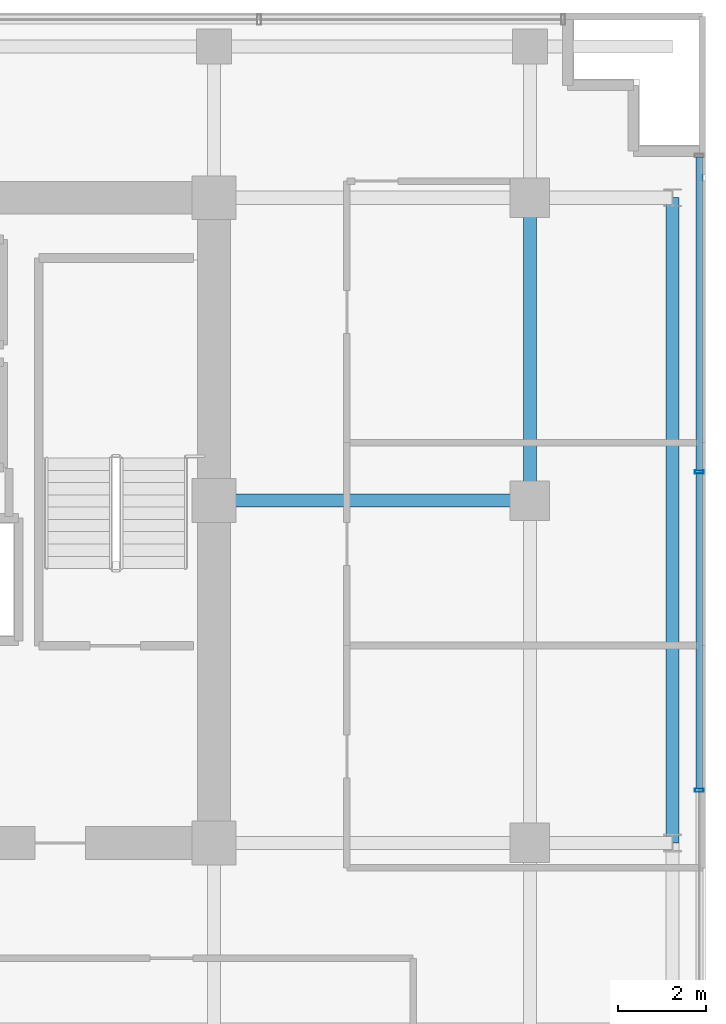
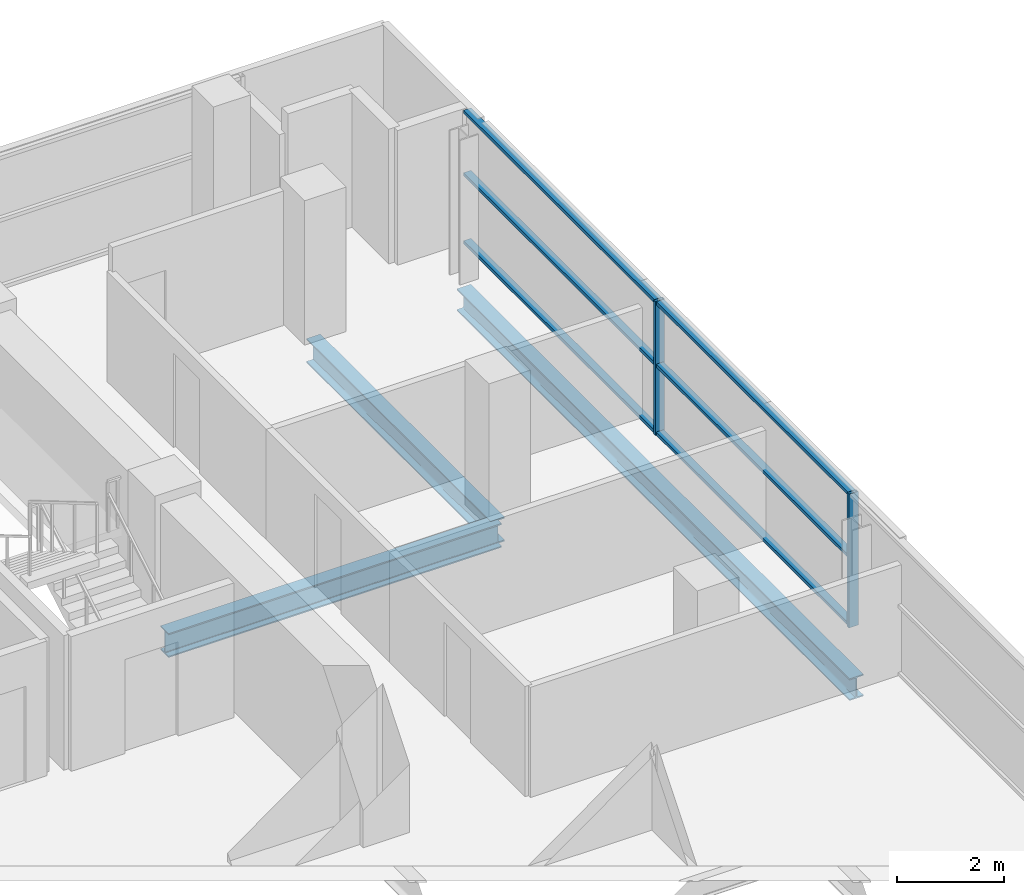
# One storey, part 14 of 27: 8 members, 3 beams, 1 element without a shape of its own.
"""IFC4 building model written with IfcOpenShell, lengths in metres."""

from ifc_helpers import new_model, si_unit, direction, frame, origin, origin_2d, place, context, subcontext, project, spatial, hollow_rectangle, i_section, extrude, source, transform, mapped, material, layer, layer_set, material_profile, profile_set, type_object, element, aggregate, save


model = new_model("IFC4")

# Units and contexts
model_context = context("Model", 3, precision=1e-05, world=origin(), true_north=direction((0.0, 1.0)))
body_context = subcontext(model_context, "Body", "Model", "MODEL_VIEW")
ifc_project = project(units=[si_unit("LENGTHUNIT", "METRE"), si_unit("AREAUNIT", "SQUARE_METRE"), si_unit("VOLUMEUNIT", "CUBIC_METRE"), si_unit("PLANEANGLEUNIT", "RADIAN"), si_unit("MASSUNIT", "GRAM", prefix="KILO")], contexts=[model_context])

# Site, building, storey
site_placement = place(None, origin())
site = spatial("IfcSite", under=ifc_project, at=site_placement, CompositionType="ELEMENT")
building_placement = place(site_placement, origin())
building = spatial("IfcBuilding", under=site, at=building_placement, Name="Zarnakvel Exchange Tower", CompositionType="ELEMENT")
storey_placement = place(building_placement, frame((0.0, 0.0, 96.699951171875)))
storey = spatial("IfcBuildingStorey", under=building, at=storey_placement, Name="L26", CompositionType="ELEMENT", Elevation=96.699951171875)

# Beams
ifc_material_1 = material(Name="Steel S355", Category="steel")
ifc_material_profile_1 = material_profile(ifc_material_1, i_section(OverallWidth=0.300048828125, OverallDepth=0.550048828125, WebThickness=0.014892578125, FlangeThickness=0.029052734375, FilletRadius=0.027099609375, at=origin_2d()))
ifc_profile_set_1 = profile_set([ifc_material_profile_1], Name="Steel S355")
beam_type_1 = type_object("IfcBeamType", Name="G-05", PredefinedType="BEAM", material=ifc_profile_set_1)
beam_1_placement = place(storey_placement, frame((14.39990234375, 6.60009765625, -0.5), z_axis=(1.0, 0.0, 0.0), x_axis=(0.0, 1.0, 0.0)))
element("IfcBeam", 1, at=beam_1_placement, inside=storey, type_object=beam_type_1, Name="L26 Tower E-W Frame Beam", PredefinedType="BEAM", context=body_context, shape_type="SweptSolid", body=[
    extrude(i_section(OverallWidth=0.300048828125, OverallDepth=0.550048828125, WebThickness=0.014892578125, FlangeThickness=0.029052734375, FilletRadius=0.027099609375, at=origin_2d()), origin(), (0.0, 0.0, 1.0), 7.2001953125),
])
beam_2_placement = place(storey_placement, frame((21.60009765625, 6.60009765625, -0.5), z_axis=(0.0, 1.0, 0.0), x_axis=(-1.0, 0.0, 0.0)))
element("IfcBeam", 2, at=beam_2_placement, inside=storey, type_object=beam_type_1, Name="L26 Tower N-S Frame Beam", PredefinedType="BEAM", context=body_context, shape_type="SweptSolid", body=[
    extrude(i_section(OverallWidth=0.300048828125, OverallDepth=0.550048828125, WebThickness=0.014892578125, FlangeThickness=0.029052734375, FilletRadius=0.027099609375, at=origin_2d()), origin(), (0.0, 0.0, 1.0), 6.89990234375),
])
ifc_material_profile_2 = material_profile(ifc_material_1, i_section(OverallWidth=0.300048828125, OverallDepth=0.5, WebThickness=0.014404296875, FlangeThickness=0.028076171875, FilletRadius=0.027099609375, at=origin_2d()))
ifc_profile_set_2 = profile_set([ifc_material_profile_2], Name="Steel S355")
beam_type_2 = type_object("IfcBeamType", Name="SP-02", PredefinedType="SPANDREL", material=ifc_profile_set_2)
beam_3_placement = place(storey_placement, frame((24.85009765625, -1.199951171875, -0.474853515625), z_axis=(0.0, 1.0, 0.0), x_axis=(-1.0, 0.0, 0.0)))
element("IfcBeam", 3, at=beam_3_placement, inside=storey, type_object=beam_type_2, Name="L26 Tower N-S Frame Beam", PredefinedType="SPANDREL", context=body_context, shape_type="SweptSolid", body=[
    extrude(i_section(OverallWidth=0.300048828125, OverallDepth=0.5, WebThickness=0.014404296875, FlangeThickness=0.028076171875, FilletRadius=0.027099609375, at=origin_2d()), origin(), (0.0, 0.0, 1.0), 14.699951171875),
])

# Curtain wall, members
ifc_material_2 = material(Name="Architectural Bronze Anodised Aluminium", Category="aluminium")
ifc_layer = layer(ifc_material_2, 0.199951171875)
ifc_layer_set = layer_set([ifc_layer], Name="Architectural Bronze Anodised Aluminium")
curtain_wall_type = type_object("IfcCurtainWallType", Name="CW-04", PredefinedType="NOTDEFINED", material=ifc_layer_set)
curtain_wall_placement = place(storey_placement, origin())
curtain_wall = element("IfcCurtainWall", 4, at=curtain_wall_placement, inside=storey, type_object=curtain_wall_type, Name="L26 Curtain Wall CW-L26-E1 (CW-04)", PredefinedType="NOTDEFINED")
ifc_material_profile_3 = material_profile(ifc_material_2, hollow_rectangle(XDim=0.199951171875, YDim=0.074951171875, WallThickness=0.0048828125, at=origin_2d()))
ifc_profile_set_3 = profile_set([ifc_material_profile_3], Name="Architectural Bronze Anodised Aluminium")
member_type_1 = type_object("IfcMemberType", Name="CWM-04", PredefinedType="MULLION", material=ifc_profile_set_3)
shared_shape_1 = source(origin(), body_context, "Body", "SweptSolid", [
    extrude(hollow_rectangle(XDim=0.199951171875, YDim=0.074951171875, WallThickness=0.0048828125, at=origin_2d()), origin(), (0.0, 0.0, 1.0), 3.054931640625),
])
member_1_placement = place(storey_placement, frame((25.4599609375, 0.0, 0.0), z_axis=(0.0, 0.0, 1.0), x_axis=(-1.0, 0.0, 0.0)))
member_1 = element("IfcMember", 5, at=member_1_placement, type_object=member_type_1, Name="CW-04 mullion 3", PredefinedType="MULLION", context=body_context, shape_type="MappedRepresentation", body=[
    mapped(shared_shape_1, transform((0.0, 0.0, 0.0), x_axis=(1.0, 0.0, 0.0), y_axis=(0.0, 1.0, 0.0), z_axis=(0.0, 0.0, 1.0), scale=1.0)),
])
member_2_placement = place(storey_placement, frame((25.4599609375, 7.25, 0.0), z_axis=(0.0, 0.0, 1.0), x_axis=(-1.0, 0.0, 0.0)))
member_2 = element("IfcMember", 6, at=member_2_placement, type_object=member_type_1, Name="CW-04 mullion 4", PredefinedType="MULLION", context=body_context, shape_type="MappedRepresentation", body=[
    mapped(shared_shape_1, transform((0.0, 0.0, 0.0), x_axis=(1.0, 0.0, 0.0), y_axis=(0.0, 1.0, 0.0), z_axis=(0.0, 0.0, 1.0), scale=1.0)),
])
ifc_material_profile_4 = material_profile(ifc_material_2, hollow_rectangle(XDim=0.159912109375, YDim=0.074951171875, WallThickness=0.00390625, at=origin_2d()))
ifc_profile_set_4 = profile_set([ifc_material_profile_4], Name="Architectural Bronze Anodised Aluminium")
member_type_2 = type_object("IfcMemberType", Name="CWT-04", PredefinedType="USERDEFINED", material=ifc_profile_set_4)
shared_shape_2 = source(origin(), body_context, "Body", "SweptSolid", [
    extrude(hollow_rectangle(XDim=0.159912109375, YDim=0.074951171875, WallThickness=0.00390625, at=origin_2d()), origin(), (0.0, 0.0, 1.0), 7.137451171875),
])
member_3_placement = place(storey_placement, frame((25.4599609375, 7.28759765625, 0.03759765625), z_axis=(0.0, 1.0, 0.0), x_axis=(-1.0, 0.0, 0.0)))
member_3 = element("IfcMember", 7, at=member_3_placement, type_object=member_type_2, Name="CW-04 transom 4.1", ObjectType="TRANSOM", PredefinedType="USERDEFINED", context=body_context, shape_type="MappedRepresentation", body=[
    mapped(shared_shape_2, transform((0.0, 0.0, 0.0), x_axis=(1.0, 0.0, 0.0), y_axis=(0.0, 1.0, 0.0), z_axis=(0.0, 0.0, 1.0), scale=1.0)),
])
member_4_placement = place(storey_placement, frame((25.4599609375, 7.28759765625, 1.588623046875), z_axis=(0.0, 1.0, 0.0), x_axis=(-1.0, 0.0, 0.0)))
member_4 = element("IfcMember", 8, at=member_4_placement, type_object=member_type_2, Name="CW-04 transom 4.2", ObjectType="TRANSOM", PredefinedType="USERDEFINED", context=body_context, shape_type="MappedRepresentation", body=[
    mapped(shared_shape_2, transform((0.0, 0.0, 0.0), x_axis=(1.0, 0.0, 0.0), y_axis=(0.0, 1.0, 0.0), z_axis=(0.0, 0.0, 1.0), scale=1.0)),
])
member_5_placement = place(storey_placement, frame((25.4599609375, 7.28759765625, 3.017578125), z_axis=(0.0, 1.0, 0.0), x_axis=(-1.0, 0.0, 0.0)))
member_5 = element("IfcMember", 9, at=member_5_placement, type_object=member_type_2, Name="CW-04 transom 4.3", ObjectType="TRANSOM", PredefinedType="USERDEFINED", context=body_context, shape_type="MappedRepresentation", body=[
    mapped(shared_shape_2, transform((0.0, 0.0, 0.0), x_axis=(1.0, 0.0, 0.0), y_axis=(0.0, 1.0, 0.0), z_axis=(0.0, 0.0, 1.0), scale=1.0)),
])
shared_shape_3 = source(origin(), body_context, "Body", "SweptSolid", [
    extrude(hollow_rectangle(XDim=0.159912109375, YDim=0.074951171875, WallThickness=0.00390625, at=origin_2d()), origin(), (0.0, 0.0, 1.0), 7.1748046875),
])
member_6_placement = place(storey_placement, frame((25.4599609375, 0.03759765625, 0.03759765625), z_axis=(0.0, 1.0, 0.0), x_axis=(-1.0, 0.0, 0.0)))
member_6 = element("IfcMember", 10, at=member_6_placement, type_object=member_type_2, Name="CW-04 transom 3.1", ObjectType="TRANSOM", PredefinedType="USERDEFINED", context=body_context, shape_type="MappedRepresentation", body=[
    mapped(shared_shape_3, transform((0.0, 0.0, 0.0), x_axis=(1.0, 0.0, 0.0), y_axis=(0.0, 1.0, 0.0), z_axis=(0.0, 0.0, 1.0), scale=1.0)),
])
member_7_placement = place(storey_placement, frame((25.4599609375, 0.03759765625, 1.588623046875), z_axis=(0.0, 1.0, 0.0), x_axis=(-1.0, 0.0, 0.0)))
member_7 = element("IfcMember", 11, at=member_7_placement, type_object=member_type_2, Name="CW-04 transom 3.2", ObjectType="TRANSOM", PredefinedType="USERDEFINED", context=body_context, shape_type="MappedRepresentation", body=[
    mapped(shared_shape_3, transform((0.0, 0.0, 0.0), x_axis=(1.0, 0.0, 0.0), y_axis=(0.0, 1.0, 0.0), z_axis=(0.0, 0.0, 1.0), scale=1.0)),
])
member_8_placement = place(storey_placement, frame((25.4599609375, 0.03759765625, 3.017578125), z_axis=(0.0, 1.0, 0.0), x_axis=(-1.0, 0.0, 0.0)))
member_8 = element("IfcMember", 12, at=member_8_placement, type_object=member_type_2, Name="CW-04 transom 3.3", ObjectType="TRANSOM", PredefinedType="USERDEFINED", context=body_context, shape_type="MappedRepresentation", body=[
    mapped(shared_shape_3, transform((0.0, 0.0, 0.0), x_axis=(1.0, 0.0, 0.0), y_axis=(0.0, 1.0, 0.0), z_axis=(0.0, 0.0, 1.0), scale=1.0)),
])
aggregate(curtain_wall, [member_1, member_2, member_6, member_7, member_8, member_3, member_4, member_5])

save(model, "model.ifc")
